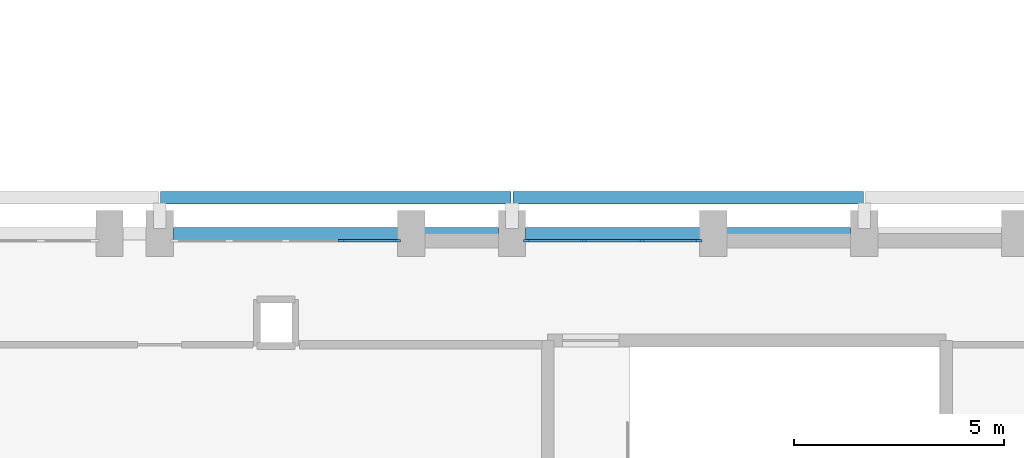
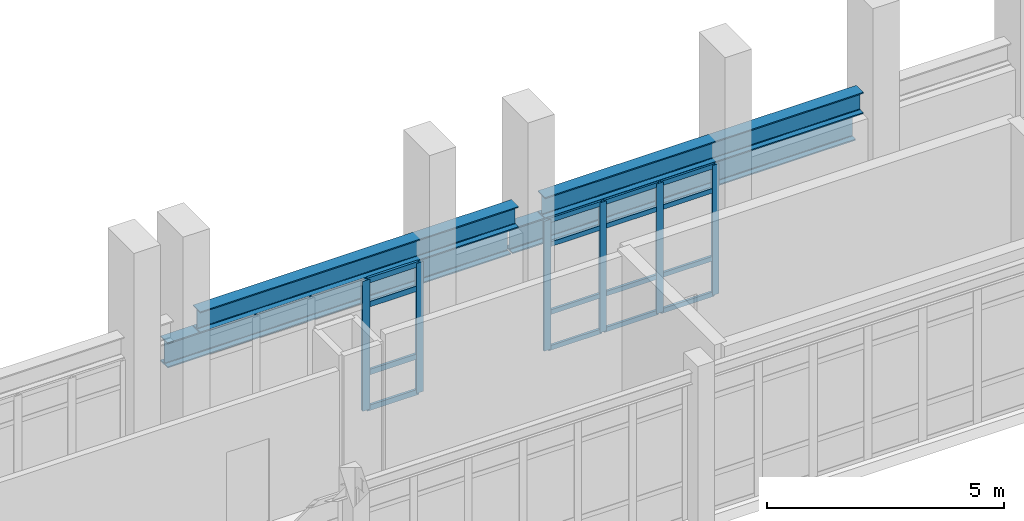
# One storey, part 84 of 147: 22 members, 4 beams, 2 elements without a shape of their own.
"""IFC4 building model written with IfcOpenShell, lengths in metres."""

from ifc_helpers import new_model, si_unit, direction, frame, origin, origin_2d, place, context, subcontext, project, spatial, rectangle, i_section, extrude, material, material_profile, profile_set, type_object, element, aggregate, save


model = new_model("IFC4")

# Units and contexts
model_context = context("Model", 3, precision=1e-05, world=origin(), true_north=direction((0.0, 1.0)))
body_context = subcontext(model_context, "Body", "Model", "MODEL_VIEW")
ifc_project = project(units=[si_unit("LENGTHUNIT", "METRE"), si_unit("AREAUNIT", "SQUARE_METRE"), si_unit("VOLUMEUNIT", "CUBIC_METRE"), si_unit("PLANEANGLEUNIT", "RADIAN"), si_unit("MASSUNIT", "GRAM", prefix="KILO")], contexts=[model_context])

# Site, building, storey
site_placement = place(None, origin())
site = spatial("IfcSite", under=ifc_project, at=site_placement, CompositionType="ELEMENT")
building_placement = place(site_placement, origin())
building = spatial("IfcBuilding", under=site, at=building_placement, Name="Malvenik Polytechnic", CompositionType="ELEMENT")
storey_placement = place(building_placement, frame((0.0, 0.0, 5.10009765625)))
storey = spatial("IfcBuildingStorey", under=building, at=storey_placement, Name="L01", CompositionType="ELEMENT", Elevation=5.10009765625)

# Curtain wall, members
ifc_material_1 = material(Name="Anodised aluminium 6060-T6", Category="aluminium")
curtain_wall_type_1 = type_object("IfcCurtainWallType", Name="ARC-CW-CW-11", PredefinedType="NOTDEFINED", material=ifc_material_1)
curtain_wall_1_placement = place(storey_placement, origin())
curtain_wall_1 = element("IfcCurtainWall", 1, at=curtain_wall_1_placement, inside=storey, type_object=curtain_wall_type_1, Name="Unitised Curtain Wall CW-11 L01 #101", PredefinedType="NOTDEFINED")
ifc_material_2 = material(Name="Anodised aluminium", Category="aluminium")
ifc_material_profile_1 = material_profile(ifc_material_2, rectangle(XDim=0.06005859375, YDim=0.159912109375, at=origin_2d()), Name="ALU MULLION 60x160")
ifc_profile_set_1 = profile_set([ifc_material_profile_1], Name="Anodised aluminium")
member_type_1 = type_object("IfcMemberType", Name="ARC-CWM-160", PredefinedType="MULLION", material=ifc_profile_set_1)
member_1_placement = place(storey_placement, frame((151.552978515625, 35.830078125, 0.0), z_axis=(0.0, 0.0, 1.0), x_axis=(0.0, 1.0, 0.0)))
member_1 = element("IfcMember", 2, at=member_1_placement, type_object=member_type_1, Name="CW-11 mullion 1", PredefinedType="MULLION", context=body_context, shape_type="SweptSolid", body=[
    extrude(rectangle(XDim=0.06005859375, YDim=0.159912109375, at=origin_2d()), origin(), (0.0, 0.0, 1.0), 3.347900390625),
])
member_2_placement = place(storey_placement, frame((152.90771484375, 35.830078125, 0.0), z_axis=(0.0, 0.0, 1.0), x_axis=(0.0, 1.0, 0.0)))
member_2 = element("IfcMember", 3, at=member_2_placement, type_object=member_type_1, Name="CW-11 mullion 2", PredefinedType="MULLION", context=body_context, shape_type="SweptSolid", body=[
    extrude(rectangle(XDim=0.06005859375, YDim=0.159912109375, at=origin_2d()), origin(), (0.0, 0.0, 1.0), 3.347900390625),
])
member_3_placement = place(storey_placement, frame((154.292236328125, 35.830078125, 0.0), z_axis=(0.0, 0.0, 1.0), x_axis=(0.0, 1.0, 0.0)))
member_3 = element("IfcMember", 4, at=member_3_placement, type_object=member_type_1, Name="CW-11 mullion 3", PredefinedType="MULLION", context=body_context, shape_type="SweptSolid", body=[
    extrude(rectangle(XDim=0.06005859375, YDim=0.159912109375, at=origin_2d()), origin(), (0.0, 0.0, 1.0), 3.347900390625),
])
member_4_placement = place(storey_placement, frame((155.64697265625, 35.830078125, 0.0), z_axis=(0.0, 0.0, 1.0), x_axis=(0.0, 1.0, 0.0)))
member_4 = element("IfcMember", 5, at=member_4_placement, type_object=member_type_1, Name="CW-11 mullion 4", PredefinedType="MULLION", context=body_context, shape_type="SweptSolid", body=[
    extrude(rectangle(XDim=0.06005859375, YDim=0.159912109375, at=origin_2d()), origin(), (0.0, 0.0, 1.0), 3.347900390625),
])

curtain_wall_type_2 = type_object("IfcCurtainWallType", Name="ARC-CW-CW-15", PredefinedType="NOTDEFINED", material=ifc_material_1)
curtain_wall_2_placement = place(storey_placement, origin())
curtain_wall_2 = element("IfcCurtainWall", 6, at=curtain_wall_2_placement, inside=storey, type_object=curtain_wall_type_2, Name="Unitised Curtain Wall CW-15 L01 #100", PredefinedType="NOTDEFINED")
ifc_material_profile_2 = material_profile(ifc_material_2, rectangle(XDim=0.06005859375, YDim=0.179931640625, at=origin_2d()), Name="ALU MULLION 60x180")
ifc_profile_set_2 = profile_set([ifc_material_profile_2], Name="Anodised aluminium")
member_type_2 = type_object("IfcMemberType", Name="ARC-CWM-180", PredefinedType="MULLION", material=ifc_profile_set_2)
member_5_placement = place(storey_placement, frame((147.138427734375, 35.830078125, 0.0), z_axis=(0.0, 0.0, 1.0), x_axis=(0.0, 1.0, 0.0)))
member_5 = element("IfcMember", 7, at=member_5_placement, type_object=member_type_2, Name="CW-15 mullion 4", PredefinedType="MULLION", context=body_context, shape_type="SweptSolid", body=[
    extrude(rectangle(XDim=0.06005859375, YDim=0.179931640625, at=origin_2d()), origin(), (0.0, 0.0, 1.0), 3.347900390625),
])
member_6_placement = place(storey_placement, frame((148.447021484375, 35.830078125, 0.0), z_axis=(0.0, 0.0, 1.0), x_axis=(0.0, 1.0, 0.0)))
member_6 = element("IfcMember", 8, at=member_6_placement, type_object=member_type_2, Name="CW-15 mullion 5", PredefinedType="MULLION", context=body_context, shape_type="SweptSolid", body=[
    extrude(rectangle(XDim=0.06005859375, YDim=0.179931640625, at=origin_2d()), origin(), (0.0, 0.0, 1.0), 3.347900390625),
])

# Member
ifc_material_profile_3 = material_profile(ifc_material_2, rectangle(XDim=0.06005859375, YDim=0.1201171875, at=origin_2d()), Name="ALU TRANSOM 60x120")
ifc_profile_set_3 = profile_set([ifc_material_profile_3], Name="Anodised aluminium")
member_type_3 = type_object("IfcMemberType", Name="ARC-CWT-120", PredefinedType="USERDEFINED", material=ifc_profile_set_3)
member_7_placement = place(storey_placement, frame((151.5830078125, 35.830078125, 0.02978515625), z_axis=(1.0, 0.0, 0.0), x_axis=(0.0, 1.0, 0.0)))
member_7 = element("IfcMember", 9, at=member_7_placement, type_object=member_type_3, Name="CW-11 transom 1.1", ObjectType="TRANSOM", PredefinedType="USERDEFINED", context=body_context, shape_type="SweptSolid", body=[
    extrude(rectangle(XDim=0.06005859375, YDim=0.1201171875, at=origin_2d()), origin(), (0.0, 0.0, 1.0), 1.294677734375),
])

member_8_placement = place(storey_placement, frame((151.5830078125, 35.830078125, 0.949951171875), z_axis=(1.0, 0.0, 0.0), x_axis=(0.0, 1.0, 0.0)))
member_8 = element("IfcMember", 10, at=member_8_placement, type_object=member_type_3, Name="CW-11 transom 1.2", ObjectType="TRANSOM", PredefinedType="USERDEFINED", context=body_context, shape_type="SweptSolid", body=[
    extrude(rectangle(XDim=0.06005859375, YDim=0.1201171875, at=origin_2d()), origin(), (0.0, 0.0, 1.0), 1.294677734375),
])

member_9_placement = place(storey_placement, frame((151.5830078125, 35.830078125, 2.697998046875), z_axis=(1.0, 0.0, 0.0), x_axis=(0.0, 1.0, 0.0)))
member_9 = element("IfcMember", 11, at=member_9_placement, type_object=member_type_3, Name="CW-11 transom 1.3", ObjectType="TRANSOM", PredefinedType="USERDEFINED", context=body_context, shape_type="SweptSolid", body=[
    extrude(rectangle(XDim=0.06005859375, YDim=0.1201171875, at=origin_2d()), origin(), (0.0, 0.0, 1.0), 1.294677734375),
])

member_10_placement = place(storey_placement, frame((151.5830078125, 35.830078125, 3.31787109375), z_axis=(1.0, 0.0, 0.0), x_axis=(0.0, 1.0, 0.0)))
member_10 = element("IfcMember", 12, at=member_10_placement, type_object=member_type_3, Name="CW-11 transom 1.4", ObjectType="TRANSOM", PredefinedType="USERDEFINED", context=body_context, shape_type="SweptSolid", body=[
    extrude(rectangle(XDim=0.06005859375, YDim=0.1201171875, at=origin_2d()), origin(), (0.0, 0.0, 1.0), 1.294677734375),
])

member_11_placement = place(storey_placement, frame((152.937744140625, 35.830078125, 0.02978515625), z_axis=(1.0, 0.0, 0.0), x_axis=(0.0, 1.0, 0.0)))
member_11 = element("IfcMember", 13, at=member_11_placement, type_object=member_type_3, Name="CW-11 transom 2.1", ObjectType="TRANSOM", PredefinedType="USERDEFINED", context=body_context, shape_type="SweptSolid", body=[
    extrude(rectangle(XDim=0.06005859375, YDim=0.1201171875, at=origin_2d()), origin(), (0.0, 0.0, 1.0), 1.32470703125),
])

member_12_placement = place(storey_placement, frame((152.937744140625, 35.830078125, 0.949951171875), z_axis=(1.0, 0.0, 0.0), x_axis=(0.0, 1.0, 0.0)))
member_12 = element("IfcMember", 14, at=member_12_placement, type_object=member_type_3, Name="CW-11 transom 2.2", ObjectType="TRANSOM", PredefinedType="USERDEFINED", context=body_context, shape_type="SweptSolid", body=[
    extrude(rectangle(XDim=0.06005859375, YDim=0.1201171875, at=origin_2d()), origin(), (0.0, 0.0, 1.0), 1.32470703125),
])

member_13_placement = place(storey_placement, frame((152.937744140625, 35.830078125, 2.697998046875), z_axis=(1.0, 0.0, 0.0), x_axis=(0.0, 1.0, 0.0)))
member_13 = element("IfcMember", 15, at=member_13_placement, type_object=member_type_3, Name="CW-11 transom 2.3", ObjectType="TRANSOM", PredefinedType="USERDEFINED", context=body_context, shape_type="SweptSolid", body=[
    extrude(rectangle(XDim=0.06005859375, YDim=0.1201171875, at=origin_2d()), origin(), (0.0, 0.0, 1.0), 1.32470703125),
])

member_14_placement = place(storey_placement, frame((152.937744140625, 35.830078125, 3.31787109375), z_axis=(1.0, 0.0, 0.0), x_axis=(0.0, 1.0, 0.0)))
member_14 = element("IfcMember", 16, at=member_14_placement, type_object=member_type_3, Name="CW-11 transom 2.4", ObjectType="TRANSOM", PredefinedType="USERDEFINED", context=body_context, shape_type="SweptSolid", body=[
    extrude(rectangle(XDim=0.06005859375, YDim=0.1201171875, at=origin_2d()), origin(), (0.0, 0.0, 1.0), 1.32470703125),
])

member_15_placement = place(storey_placement, frame((154.322265625, 35.830078125, 0.02978515625), z_axis=(1.0, 0.0, 0.0), x_axis=(0.0, 1.0, 0.0)))
member_15 = element("IfcMember", 17, at=member_15_placement, type_object=member_type_3, Name="CW-11 transom 3.1", ObjectType="TRANSOM", PredefinedType="USERDEFINED", context=body_context, shape_type="SweptSolid", body=[
    extrude(rectangle(XDim=0.06005859375, YDim=0.1201171875, at=origin_2d()), origin(), (0.0, 0.0, 1.0), 1.294677734375),
])

member_16_placement = place(storey_placement, frame((154.322265625, 35.830078125, 0.949951171875), z_axis=(1.0, 0.0, 0.0), x_axis=(0.0, 1.0, 0.0)))
member_16 = element("IfcMember", 18, at=member_16_placement, type_object=member_type_3, Name="CW-11 transom 3.2", ObjectType="TRANSOM", PredefinedType="USERDEFINED", context=body_context, shape_type="SweptSolid", body=[
    extrude(rectangle(XDim=0.06005859375, YDim=0.1201171875, at=origin_2d()), origin(), (0.0, 0.0, 1.0), 1.294677734375),
])

member_17_placement = place(storey_placement, frame((154.322265625, 35.830078125, 2.697998046875), z_axis=(1.0, 0.0, 0.0), x_axis=(0.0, 1.0, 0.0)))
member_17 = element("IfcMember", 19, at=member_17_placement, type_object=member_type_3, Name="CW-11 transom 3.3", ObjectType="TRANSOM", PredefinedType="USERDEFINED", context=body_context, shape_type="SweptSolid", body=[
    extrude(rectangle(XDim=0.06005859375, YDim=0.1201171875, at=origin_2d()), origin(), (0.0, 0.0, 1.0), 1.294677734375),
])

member_18_placement = place(storey_placement, frame((154.322265625, 35.830078125, 3.31787109375), z_axis=(1.0, 0.0, 0.0), x_axis=(0.0, 1.0, 0.0)))
member_18 = element("IfcMember", 20, at=member_18_placement, type_object=member_type_3, Name="CW-11 transom 3.4", ObjectType="TRANSOM", PredefinedType="USERDEFINED", context=body_context, shape_type="SweptSolid", body=[
    extrude(rectangle(XDim=0.06005859375, YDim=0.1201171875, at=origin_2d()), origin(), (0.0, 0.0, 1.0), 1.294677734375),
])

aggregate(curtain_wall_1, [member_1, member_2, member_3, member_4, member_7, member_8, member_9, member_10, member_11, member_12, member_13, member_14, member_15, member_16, member_17, member_18])

ifc_material_profile_4 = material_profile(ifc_material_2, rectangle(XDim=0.06005859375, YDim=0.139892578125, at=origin_2d()), Name="ALU TRANSOM 60x140")
ifc_profile_set_4 = profile_set([ifc_material_profile_4], Name="Anodised aluminium")
member_type_4 = type_object("IfcMemberType", Name="ARC-CWT-140", PredefinedType="USERDEFINED", material=ifc_profile_set_4)
member_19_placement = place(storey_placement, frame((147.16845703125, 35.830078125, 0.02978515625), z_axis=(1.0, 0.0, 0.0), x_axis=(0.0, 1.0, 0.0)))
member_19 = element("IfcMember", 21, at=member_19_placement, type_object=member_type_4, Name="CW-15 transom 4.1", ObjectType="TRANSOM", PredefinedType="USERDEFINED", context=body_context, shape_type="SweptSolid", body=[
    extrude(rectangle(XDim=0.06005859375, YDim=0.139892578125, at=origin_2d()), origin(), (0.0, 0.0, 1.0), 1.24853515625),
])

member_20_placement = place(storey_placement, frame((147.16845703125, 35.830078125, 0.949951171875), z_axis=(1.0, 0.0, 0.0), x_axis=(0.0, 1.0, 0.0)))
member_20 = element("IfcMember", 22, at=member_20_placement, type_object=member_type_4, Name="CW-15 transom 4.2", ObjectType="TRANSOM", PredefinedType="USERDEFINED", context=body_context, shape_type="SweptSolid", body=[
    extrude(rectangle(XDim=0.06005859375, YDim=0.139892578125, at=origin_2d()), origin(), (0.0, 0.0, 1.0), 1.24853515625),
])

member_21_placement = place(storey_placement, frame((147.16845703125, 35.830078125, 2.697998046875), z_axis=(1.0, 0.0, 0.0), x_axis=(0.0, 1.0, 0.0)))
member_21 = element("IfcMember", 23, at=member_21_placement, type_object=member_type_4, Name="CW-15 transom 4.3", ObjectType="TRANSOM", PredefinedType="USERDEFINED", context=body_context, shape_type="SweptSolid", body=[
    extrude(rectangle(XDim=0.06005859375, YDim=0.139892578125, at=origin_2d()), origin(), (0.0, 0.0, 1.0), 1.24853515625),
])

member_22_placement = place(storey_placement, frame((147.16845703125, 35.830078125, 3.31787109375), z_axis=(1.0, 0.0, 0.0), x_axis=(0.0, 1.0, 0.0)))
member_22 = element("IfcMember", 24, at=member_22_placement, type_object=member_type_4, Name="CW-15 transom 4.4", ObjectType="TRANSOM", PredefinedType="USERDEFINED", context=body_context, shape_type="SweptSolid", body=[
    extrude(rectangle(XDim=0.06005859375, YDim=0.139892578125, at=origin_2d()), origin(), (0.0, 0.0, 1.0), 1.24853515625),
])

aggregate(curtain_wall_2, [member_5, member_6, member_19, member_20, member_21, member_22])

# Beams
ifc_material_3 = material(Name="Steel S355", Category="steel")
ifc_material_profile_5 = material_profile(ifc_material_3, i_section(OverallWidth=0.300048828125, OverallDepth=0.64990234375, WebThickness=0.01611328125, FlangeThickness=0.031005859375, FilletRadius=0.027099609375, at=origin_2d()), Name="HEB 650")
ifc_profile_set_5 = profile_set([ifc_material_profile_5], Name="Steel S355")
beam_type_1 = type_object("IfcBeamType", Name="STR-BM-CB-01", PredefinedType="BEAM", material=ifc_profile_set_5)
beam_1_placement = place(storey_placement, frame((142.820068359375, 36.85009765625, 2.375), z_axis=(1.0, 0.0, 0.0), x_axis=(0.0, 1.0, 0.0)))
element("IfcBeam", 25, at=beam_1_placement, inside=storey, type_object=beam_type_1, Name="100 kN Crane Runway Girder CB-01 #1.2", PredefinedType="BEAM", context=body_context, shape_type="SweptSolid", body=[
    extrude(i_section(OverallWidth=0.300048828125, OverallDepth=0.64990234375, WebThickness=0.01611328125, FlangeThickness=0.031005859375, FilletRadius=0.027099609375, at=origin_2d()), origin(), (0.0, 0.0, 1.0), 8.35986328125),
])
beam_2_placement = place(storey_placement, frame((151.219970703125, 36.85009765625, 2.375), z_axis=(1.0, 0.0, 0.0), x_axis=(0.0, 1.0, 0.0)))
element("IfcBeam", 26, at=beam_2_placement, inside=storey, type_object=beam_type_1, Name="100 kN Crane Runway Girder CB-01 #1.3", PredefinedType="BEAM", context=body_context, shape_type="SweptSolid", body=[
    extrude(i_section(OverallWidth=0.300048828125, OverallDepth=0.64990234375, WebThickness=0.01611328125, FlangeThickness=0.031005859375, FilletRadius=0.027099609375, at=origin_2d()), origin(), (0.0, 0.0, 1.0), 8.360107421875),
])
ifc_material_profile_6 = material_profile(ifc_material_3, i_section(OverallWidth=0.300048828125, OverallDepth=0.550048828125, WebThickness=0.014892578125, FlangeThickness=0.029052734375, FilletRadius=0.027099609375, at=origin_2d()), Name="HEB 550")
ifc_profile_set_6 = profile_set([ifc_material_profile_6], Name="Steel S355")
beam_type_2 = type_object("IfcBeamType", Name="STR-BM-SB-01", PredefinedType="BEAM", material=ifc_profile_set_6)
beam_3_placement = place(storey_placement, frame((143.123046875, 36.0, 3.6328125), z_axis=(1.0, 0.0, 0.0), x_axis=(0.0, 1.0, 0.0)))
element("IfcBeam", 27, at=beam_3_placement, inside=storey, type_object=beam_type_2, Name="Beam SB-01 #2", PredefinedType="BEAM", context=body_context, shape_type="SweptSolid", body=[
    extrude(i_section(OverallWidth=0.300048828125, OverallDepth=0.550048828125, WebThickness=0.014892578125, FlangeThickness=0.029052734375, FilletRadius=0.027099609375, at=origin_2d()), origin(), (0.0, 0.0, 1.0), 7.75390625),
])
beam_4_placement = place(storey_placement, frame((151.52294921875, 36.0, 3.6328125), z_axis=(1.0, 0.0, 0.0), x_axis=(0.0, 1.0, 0.0)))
element("IfcBeam", 28, at=beam_4_placement, inside=storey, type_object=beam_type_2, Name="Beam SB-01 #3", PredefinedType="BEAM", context=body_context, shape_type="SweptSolid", body=[
    extrude(i_section(OverallWidth=0.300048828125, OverallDepth=0.550048828125, WebThickness=0.014892578125, FlangeThickness=0.029052734375, FilletRadius=0.027099609375, at=origin_2d()), origin(), (0.0, 0.0, 1.0), 7.754150390625),
])

save(model, "model.ifc")
